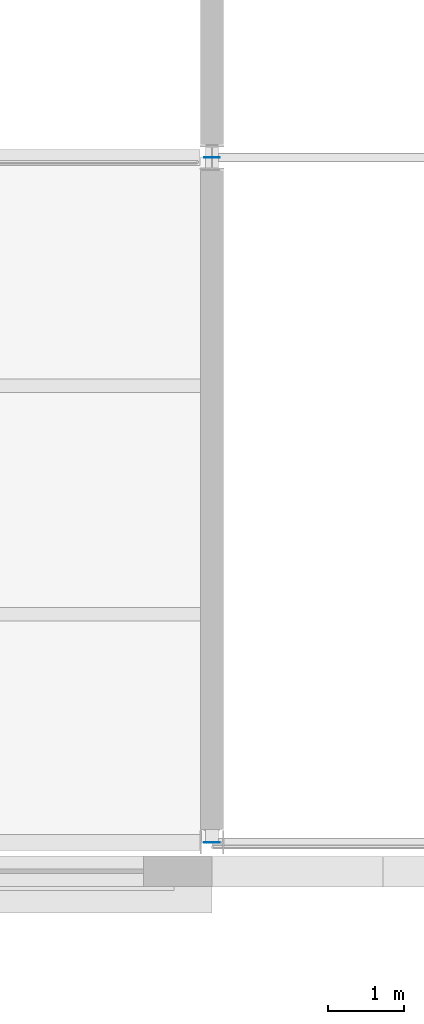
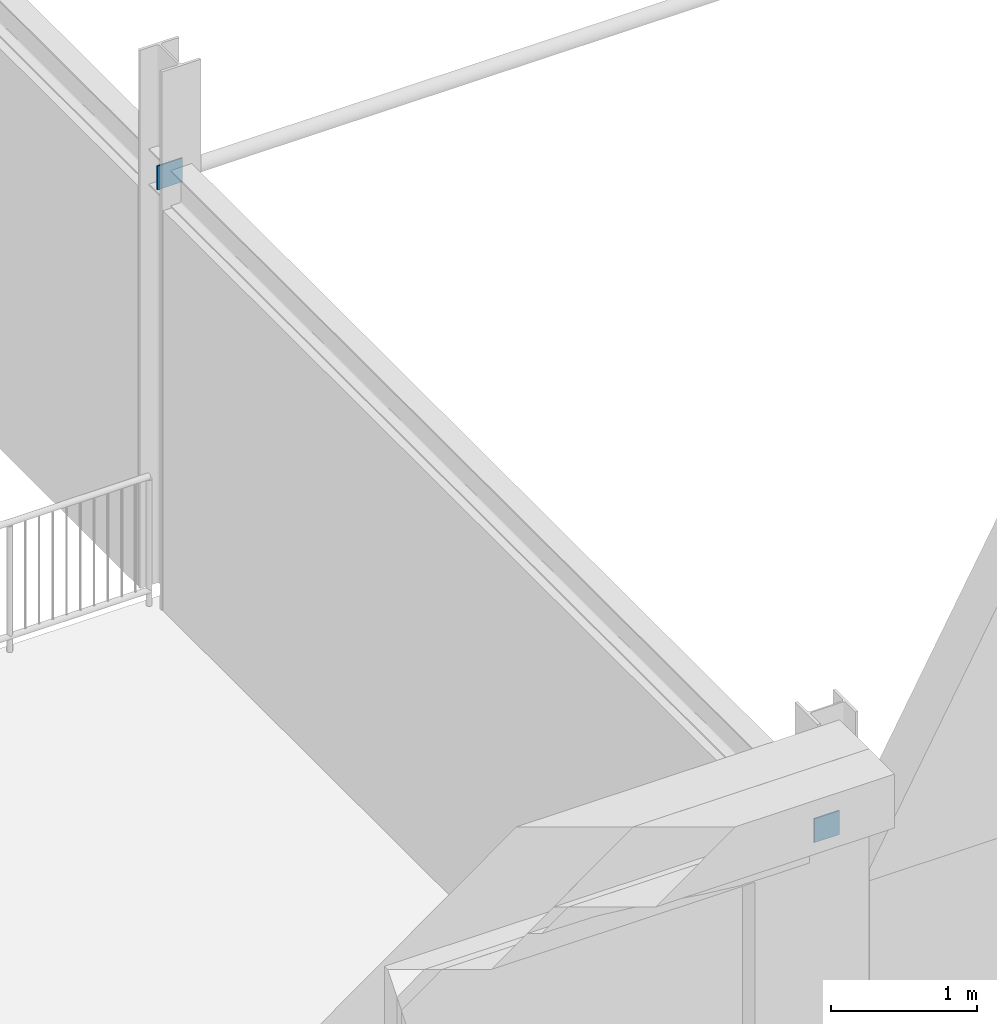
# One storey, part 43 of 59: 2 discrete accessories.
"""IFC4 building model written with IfcOpenShell, lengths in metres."""

from ifc_helpers import new_model, si_unit, direction, frame, origin, origin_2d, place, context, subcontext, project, spatial, rectangle, extrude, material, type_object, element, save


model = new_model("IFC4")

# Units and contexts
model_context = context("Model", 3, precision=1e-05, world=origin(), true_north=direction((0.0, 1.0)))
body_context = subcontext(model_context, "Body", "Model", "MODEL_VIEW")
ifc_project = project(units=[si_unit("LENGTHUNIT", "METRE"), si_unit("AREAUNIT", "SQUARE_METRE"), si_unit("VOLUMEUNIT", "CUBIC_METRE"), si_unit("PLANEANGLEUNIT", "RADIAN"), si_unit("MASSUNIT", "GRAM", prefix="KILO")], contexts=[model_context])

# Site, building, storey
site_placement = place(None, origin())
site = spatial("IfcSite", under=ifc_project, at=site_placement, CompositionType="ELEMENT")
building_placement = place(site_placement, origin())
building = spatial("IfcBuilding", under=site, at=building_placement, Name="Hortulan Conservatory and Botanical Research Centre", CompositionType="ELEMENT")
storey_placement = place(building_placement, frame((0.0, 0.0, 10.5)))
storey = spatial("IfcBuildingStorey", under=building, at=storey_placement, Name="L02", CompositionType="ELEMENT", Elevation=10.5)

# Discrete accessories
ifc_material = material(Name="Steel Grade 300 plate (AS/NZS 3678, 280 MPa minimum yield)", Category="steel")
discrete_accessory_type = type_object("IfcDiscreteAccessoryType", Name="End Plate 200x10", PredefinedType="BRACKET", material=ifc_material)
for number, where, z_axis, x_axis, name in (
    (1, (90.0, 36.0, 3.39990234375), (0.0, 0.0, 1.0), (1.0, 0.0, 0.0), "Strut end plate"),
    (2, (90.0, 45.0, 3.39990234375), (0.0, 0.0, 1.0), (1.0, 0.0, 0.0), "Strut end plate"),
):
    element("IfcDiscreteAccessory", number, at=place(storey_placement, frame(where, z_axis=z_axis, x_axis=x_axis)), inside=storey, type_object=discrete_accessory_type, Name=name, PredefinedType="BRACKET", context=body_context, shape_type="SweptSolid", body=[
        extrude(rectangle(XDim=0.199951171875, YDim=0.010009765625, at=origin_2d()), origin(), (0.0, 0.0, 1.0), 0.199951171875),
    ])

save(model, "model.ifc")
